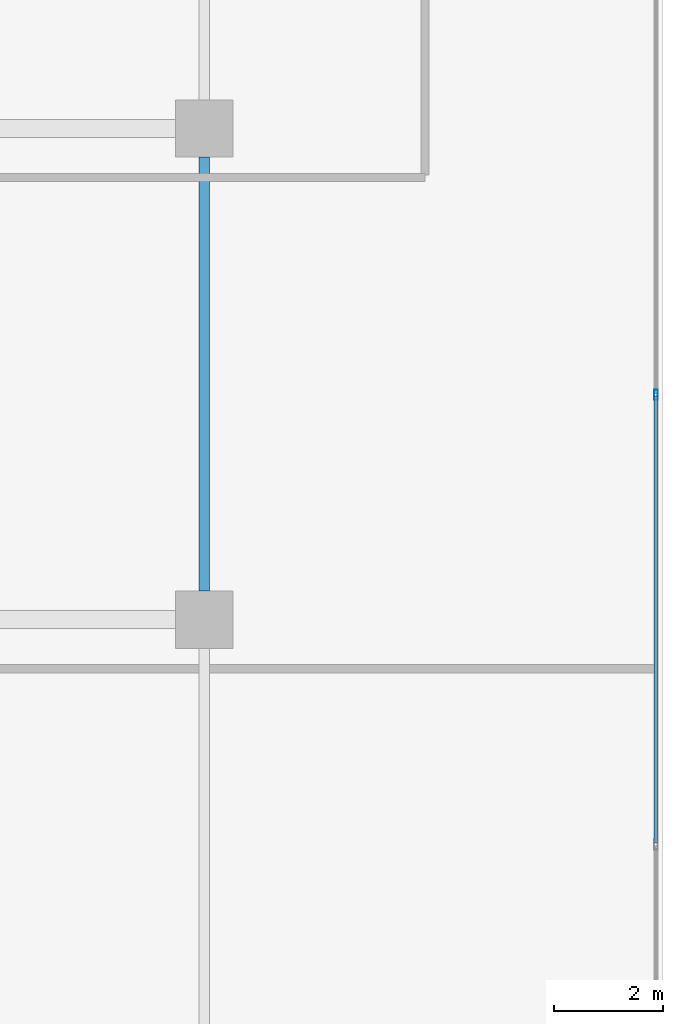
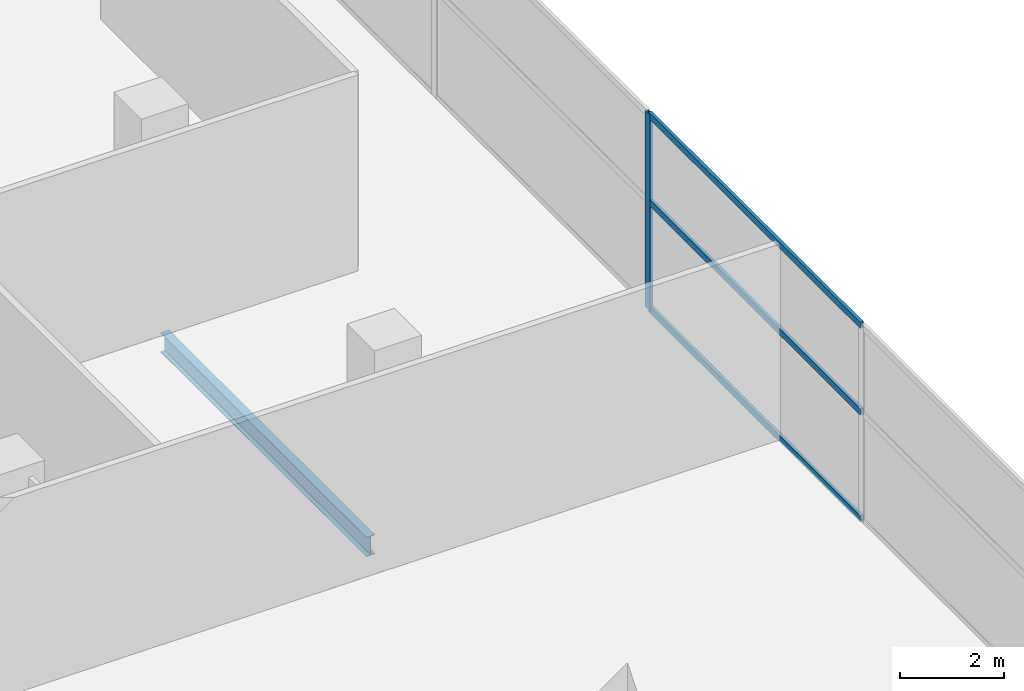
# One storey, part 27 of 39: 4 members, 1 beam, 1 element without a shape of its own.
"""IFC4 building model written with IfcOpenShell, lengths in metres."""

from ifc_helpers import new_model, si_unit, direction, frame, origin, origin_2d, place, context, subcontext, project, spatial, hollow_rectangle, i_section, extrude, material, layer, layer_set, material_profile, profile_set, type_object, element, aggregate, save


model = new_model("IFC4")

# Units and contexts
model_context = context("Model", 3, precision=1e-05, world=origin(), true_north=direction((0.0, 1.0)))
body_context = subcontext(model_context, "Body", "Model", "MODEL_VIEW")
ifc_project = project(units=[si_unit("LENGTHUNIT", "METRE"), si_unit("AREAUNIT", "SQUARE_METRE"), si_unit("VOLUMEUNIT", "CUBIC_METRE"), si_unit("PLANEANGLEUNIT", "RADIAN"), si_unit("MASSUNIT", "GRAM", prefix="KILO")], contexts=[model_context])

# Site, building, storey
site_placement = place(None, origin())
site = spatial("IfcSite", under=ifc_project, at=site_placement, CompositionType="ELEMENT")
building_placement = place(site_placement, origin())
building = spatial("IfcBuilding", under=site, at=building_placement, Name="Maruvema Waterfront Hotel and Observation Tower", CompositionType="ELEMENT")
storey_placement = place(building_placement, frame((0.0, 0.0, 16.449951171875)))
storey = spatial("IfcBuildingStorey", under=building, at=storey_placement, Name="L03", CompositionType="ELEMENT", Elevation=16.449951171875)

# Curtain wall, members
ifc_material_1 = material(Name="Anodised bronze aluminium and solar-control low-E IGU", Category="aluminium")
ifc_layer = layer(ifc_material_1, 0.159912109375, Name="Podium Waterfront Storefront Curtain Wall System CW-01")
ifc_layer_set = layer_set([ifc_layer], Name="Anodised bronze aluminium and solar-control low-E IGU")
curtain_wall_type = type_object("IfcCurtainWallType", Name="Podium Waterfront Storefront Curtain Wall System CW-01", PredefinedType="USERDEFINED", material=ifc_layer_set)
curtain_wall_placement = place(storey_placement, origin())
curtain_wall = element("IfcCurtainWall", 1, at=curtain_wall_placement, inside=storey, type_object=curtain_wall_type, Name="L03 Curtain Wall CW-L03-E", ObjectType="UNITISED CURTAIN WALL", PredefinedType="USERDEFINED")
ifc_material_2 = material(Name="Anodised architectural bronze aluminium", Category="aluminium")
ifc_material_profile_1 = material_profile(ifc_material_2, hollow_rectangle(XDim=0.070068359375, YDim=0.14990234375, WallThickness=0.00390625, at=origin_2d()), Name="ALU-T70x150")
ifc_profile_set_1 = profile_set([ifc_material_profile_1], Name="Anodised architectural bronze aluminium")
member_type_1 = type_object("IfcMemberType", Name="Curtain Wall Horizontal Transom ALU-T70x150", PredefinedType="USERDEFINED", material=ifc_profile_set_1)
member_1_placement = place(storey_placement, frame((75.47998046875, 22.909912109375, 0.030029296875), z_axis=(0.0, 1.0, 0.0), x_axis=(-1.0, 0.0, 0.0)))
member_1 = element("IfcMember", 2, at=member_1_placement, type_object=member_type_1, Name="CW-01 transom 3.1", ObjectType="TRANSOM", PredefinedType="USERDEFINED", context=body_context, shape_type="SweptSolid", body=[
    extrude(hollow_rectangle(XDim=0.070068359375, YDim=0.14990234375, WallThickness=0.00390625, at=origin_2d()), origin(), (0.0, 0.0, 1.0), 8.18017578125),
])
member_2_placement = place(storey_placement, frame((75.47998046875, 22.909912109375, 2.550048828125), z_axis=(0.0, 1.0, 0.0), x_axis=(-1.0, 0.0, 0.0)))
member_2 = element("IfcMember", 3, at=member_2_placement, type_object=member_type_1, Name="CW-01 transom 3.2", ObjectType="TRANSOM", PredefinedType="USERDEFINED", context=body_context, shape_type="SweptSolid", body=[
    extrude(hollow_rectangle(XDim=0.070068359375, YDim=0.14990234375, WallThickness=0.00390625, at=origin_2d()), origin(), (0.0, 0.0, 1.0), 8.18017578125),
])
member_3_placement = place(storey_placement, frame((75.47998046875, 22.909912109375, 4.590087890625), z_axis=(0.0, 1.0, 0.0), x_axis=(-1.0, 0.0, 0.0)))
member_3 = element("IfcMember", 4, at=member_3_placement, type_object=member_type_1, Name="CW-01 transom 3.3", ObjectType="TRANSOM", PredefinedType="USERDEFINED", context=body_context, shape_type="SweptSolid", body=[
    extrude(hollow_rectangle(XDim=0.070068359375, YDim=0.14990234375, WallThickness=0.00390625, at=origin_2d()), origin(), (0.0, 0.0, 1.0), 8.18017578125),
])

# Beam
ifc_material_3 = material(Name="Steel ASTM A572 Grade 50", Category="steel")
ifc_material_profile_2 = material_profile(ifc_material_3, i_section(OverallWidth=0.18994140625, OverallDepth=0.45703125, WebThickness=0.009033203125, FlangeThickness=0.014404296875, FilletRadius=0.014892578125, at=origin_2d()), Name="W460x74.0")
ifc_profile_set_2 = profile_set([ifc_material_profile_2], Name="Steel ASTM A572 Grade 50")
beam_type = type_object("IfcBeamType", Name="Perimeter Spandrel Beam W460x74.0", PredefinedType="SPANDREL", material=ifc_profile_set_2)
beam_placement = place(storey_placement, frame((67.199951171875, 27.52490234375, -0.508544921875), z_axis=(0.0, 1.0, 0.0), x_axis=(-1.0, 0.0, 0.0)))
element("IfcBeam", 5, at=beam_placement, inside=storey, type_object=beam_type, Name="L03 Floor Girder NS-32", PredefinedType="SPANDREL", context=body_context, shape_type="SweptSolid", body=[
    extrude(i_section(OverallWidth=0.18994140625, OverallDepth=0.45703125, WebThickness=0.009033203125, FlangeThickness=0.014404296875, FilletRadius=0.014892578125, at=origin_2d()), origin(), (0.0, 0.0, 1.0), 7.9501953125),
])

# Member
ifc_material_4 = material(Name="Anodised architectural bronze aluminium", Category="aluminium")
ifc_material_profile_3 = material_profile(ifc_material_4, hollow_rectangle(XDim=0.070068359375, YDim=0.18994140625, WallThickness=0.00390625, at=origin_2d()), Name="ALU-M70x190")
ifc_profile_set_3 = profile_set([ifc_material_profile_3], Name="Anodised architectural bronze aluminium")
member_type_2 = type_object("IfcMemberType", Name="Podium Storefront Heavy Mullion ALU-M70x190", PredefinedType="MULLION", material=ifc_profile_set_3)
member_4_placement = place(storey_placement, frame((75.47998046875, 31.1201171875, 0.0), z_axis=(0.0, 0.0, 1.0), x_axis=(-1.0, 0.0, 0.0)))
member_4 = element("IfcMember", 6, at=member_4_placement, type_object=member_type_2, Name="CW-01 mullion 4", PredefinedType="MULLION", context=body_context, shape_type="SweptSolid", body=[
    extrude(hollow_rectangle(XDim=0.070068359375, YDim=0.18994140625, WallThickness=0.00390625, at=origin_2d()), origin(), (0.0, 0.0, 1.0), 4.6201171875),
])

aggregate(curtain_wall, [member_4, member_1, member_2, member_3])

save(model, "model.ifc")
